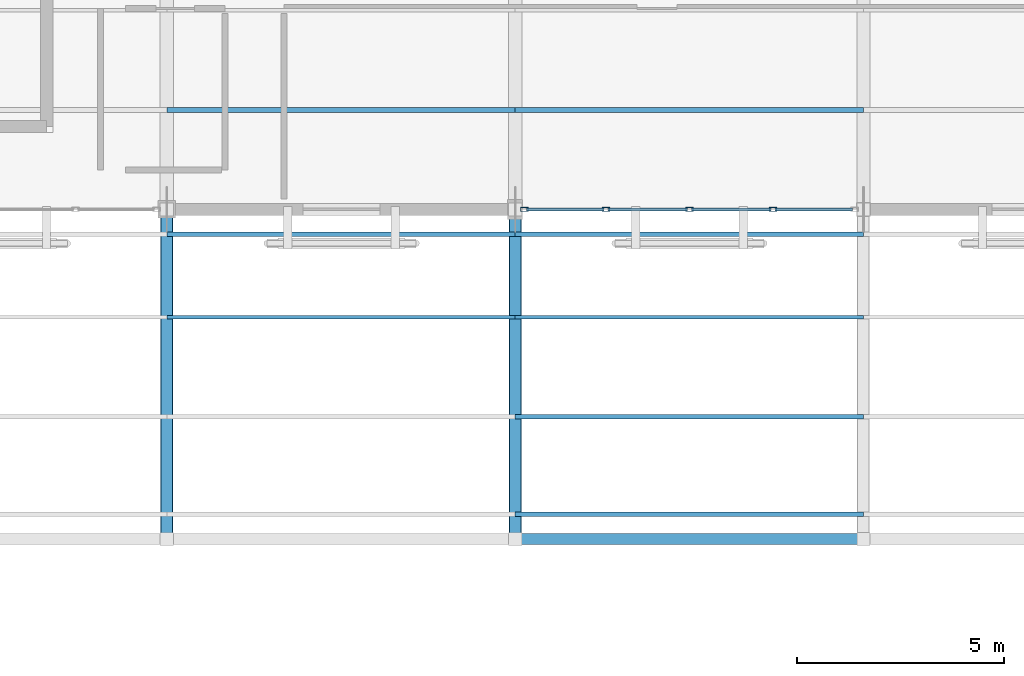
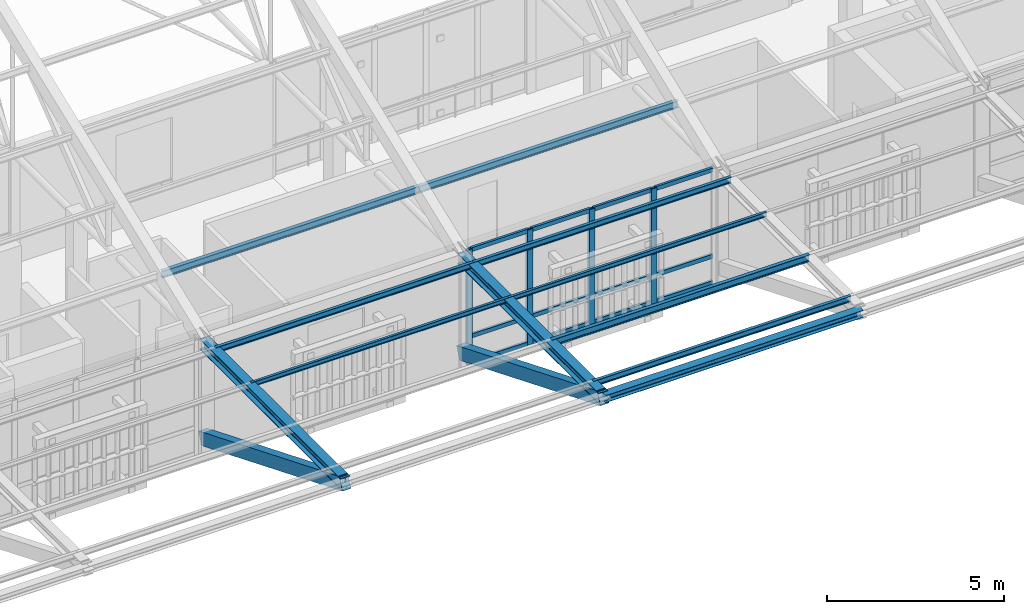
# One storey, part 82 of 217: 28 members, 1 beam, 1 element without a shape of its own.
"""IFC4 building model written with IfcOpenShell, lengths in metres."""

import ifcopenshell
import ifcopenshell.guid

model = None  # the IFC model being written
_history = None  # IfcOwnerHistory: only IFC2X3 demands one
_inside = {}  # id of a spatial element -> (the spatial element, [elements in it])
_under = {}  # id of a project, library or spatial element -> (it, [spatial elements below it])
_declared = {}  # id of a project -> (the project, [libraries it declares])
_typed = {}  # id of a type object -> (the type object, [elements of that type])
_made_of = {}  # id of a material, layer set ... -> (it, [elements and type objects made of it])


def new_model(schema):
    """Start an empty IFC model of exactly this schema.

    Asked for "IFC4X3", IfcOpenShell would pick the latest addendum, in which some entities
    have other attributes; the version numbers below select the first issue.
    IFC2X3 requires an IfcOwnerHistory on every rooted entity: one is made here for all.
    """
    global model, _history
    if schema == "IFC4X3":
        model = ifcopenshell.file(schema_version=(4, 3, 0, 0))
    else:
        model = ifcopenshell.file(schema=schema)
    _inside.clear()
    _under.clear()
    _declared.clear()
    _typed.clear()
    _made_of.clear()
    _history = None
    if model.schema == "IFC2X3":
        org = make("IfcOrganization", Name="unknown")
        user = make(
            "IfcPersonAndOrganization",
            ThePerson=make("IfcPerson", FamilyName="unknown"),
            TheOrganization=org,
        )
        app = make(
            "IfcApplication",
            ApplicationDeveloper=org,
            Version="unknown",
            ApplicationFullName="unknown",
            ApplicationIdentifier="unknown",
        )
        _history = make(
            "IfcOwnerHistory",
            OwningUser=user,
            OwningApplication=app,
            ChangeAction="ADDED",
            CreationDate=0,
        )
    return model


def make(cls, **values):
    """One entity of the class cls with the attributes given. An attribute that is None is left unset."""
    return model.create_entity(
        cls, **{name: value for name, value in values.items() if value is not None}
    )


def rooted(cls, **values):
    """An entity with a GlobalId (a new one), such as an element, a storey or a relation."""
    return make(cls, GlobalId=ifcopenshell.guid.new(), OwnerHistory=_history, **values)


def si_unit(unit_type, name, prefix=None):
    """IfcSIUnit, for example si_unit("LENGTHUNIT", "METRE", prefix="MILLI")."""
    return make("IfcSIUnit", UnitType=unit_type, Prefix=prefix, Name=name)


def assignment(units):
    """IfcUnitAssignment: the units of a project."""
    return None if units is None else make("IfcUnitAssignment", Units=units)


def point(xyz):
    """IfcCartesianPoint."""
    return None if xyz is None else make("IfcCartesianPoint", Coordinates=xyz)


def direction(xyz):
    """IfcDirection."""
    return None if xyz is None else make("IfcDirection", DirectionRatios=xyz)


def frame(location, z_axis=None, x_axis=None):
    """IfcAxis2Placement3D, a coordinate frame: its origin and axes. An axis left out is left unset."""
    return make(
        "IfcAxis2Placement3D",
        Location=point(location),
        Axis=direction(z_axis),
        RefDirection=direction(x_axis),
    )


def frame_2d(location, x_axis=None):
    """IfcAxis2Placement2D, a coordinate frame in the plane: its origin and x axis."""
    return make(
        "IfcAxis2Placement2D", Location=point(location), RefDirection=direction(x_axis)
    )


def origin():
    """The frame at (0, 0, 0) with its axes left unset."""
    return frame((0.0, 0.0, 0.0))


def origin_2d():
    """The frame at (0, 0) in the plane with its x axis left unset."""
    return frame_2d((0.0, 0.0))


def place(relative_to, where):
    """IfcLocalPlacement: puts the frame where relative to a parent placement (None: the world)."""
    return make(
        "IfcLocalPlacement", PlacementRelTo=relative_to, RelativePlacement=where
    )


def context(
    kind, dimensions, precision=None, world=None, true_north=None, identifier=None
):
    """IfcGeometricRepresentationContext, for example the 3D "Model" context."""
    return make(
        "IfcGeometricRepresentationContext",
        ContextIdentifier=identifier,
        ContextType=kind,
        CoordinateSpaceDimension=dimensions,
        Precision=precision,
        WorldCoordinateSystem=world,
        TrueNorth=true_north,
    )


def subcontext(parent, identifier, kind, view, scale=None):
    """IfcGeometricRepresentationSubContext, for example "Body" below "Model"."""
    return make(
        "IfcGeometricRepresentationSubContext",
        ContextIdentifier=identifier,
        ContextType=kind,
        ParentContext=parent,
        TargetScale=scale,
        TargetView=view,
    )


def project(units=None, contexts=None):
    """IfcProject with its units and contexts."""
    return rooted(
        "IfcProject",
        Name="project",
        RepresentationContexts=contexts,
        UnitsInContext=assignment(units),
    )


def spatial(cls, under=None, at=None, **own):
    """A site, building, storey or space (cls), placed at a placement, below another one or the project."""
    s = rooted(cls, ObjectPlacement=at, **own)
    if under is not None:
        _under.setdefault(under.id(), (under, []))[1].append(s)
    return s


def profile(cls, at=None, kind="AREA", **sizes):
    """A parametric profile (cls). Its sizes go by their IFC names, for example OverallWidth=200.0."""
    return make(cls, ProfileType=kind, Position=at, **sizes)


def rectangle(**sizes):
    """IfcRectangleProfileDef."""
    return profile("IfcRectangleProfileDef", **sizes)


def hollow_rectangle(**sizes):
    """IfcRectangleHollowProfileDef."""
    return profile("IfcRectangleHollowProfileDef", **sizes)


def i_section(**sizes):
    """IfcIShapeProfileDef."""
    return profile("IfcIShapeProfileDef", **sizes)


def extrude(swept, where, along, depth):
    """IfcExtrudedAreaSolid: the profile swept, set in the frame where, extruded along a direction by depth."""
    return make(
        "IfcExtrudedAreaSolid",
        SweptArea=swept,
        Position=where,
        ExtrudedDirection=direction(along),
        Depth=depth,
    )


def shape(context_of_items, identifier, shape_type, items):
    """IfcShapeRepresentation: the items that make up one representation, for example the "Body"."""
    return make(
        "IfcShapeRepresentation",
        ContextOfItems=context_of_items,
        RepresentationIdentifier=identifier,
        RepresentationType=shape_type,
        Items=items,
    )


def material(Name=None, Category=None):
    """IfcMaterial."""
    return make("IfcMaterial", Name=Name, Category=Category)


def layer(
    of_material, thickness, ventilated=None, Name=None, Category=None, Priority=None
):
    """IfcMaterialLayer: one layer of a wall or slab, of a material (None: an air gap)."""
    return make(
        "IfcMaterialLayer",
        Material=of_material,
        LayerThickness=thickness,
        IsVentilated=ventilated,
        Name=Name,
        Category=Category,
        Priority=Priority,
    )


def layer_set(layers, Name=None):
    """IfcMaterialLayerSet."""
    return make("IfcMaterialLayerSet", MaterialLayers=layers, LayerSetName=Name)


def material_profile(
    of_material, cross_section, Name=None, Category=None, Priority=None
):
    """IfcMaterialProfile: a cross section and its material."""
    return make(
        "IfcMaterialProfile",
        Name=Name,
        Material=of_material,
        Profile=cross_section,
        Priority=Priority,
        Category=Category,
    )


def profile_set(profiles, Name=None, composite=None):
    """IfcMaterialProfileSet."""
    return make(
        "IfcMaterialProfileSet",
        Name=Name,
        MaterialProfiles=profiles,
        CompositeProfile=composite,
    )


def made_of(thing, what):
    """Note that an element or type object is made of a material, layer set ...; save() writes the relation."""
    if what is not None:
        _made_of.setdefault(what.id(), (what, []))[1].append(thing)
    return thing


def type_object(cls, material=None, **own):
    """A type object (cls), such as IfcWallType, which elements share."""
    return made_of(rooted(cls, **own), material)


def element(
    cls,
    number,
    at=None,
    inside=None,
    cuts=None,
    type_object=None,
    material=None,
    context=None,
    identifier="Body",
    shape_type=None,
    held_by="IfcProductDefinitionShape",
    body=None,
    shapes=None,
    **own,
):
    """One element of the class cls, such as IfcWall. Its Tag is "e" and its number.

    at: its placement. inside: the storey or other place that contains it. cuts: it is an
    opening in that element (IfcRelVoidsElement). A single representation is given by context,
    identifier, shape_type and body (its items); several are given by shapes. held_by: the class
    of the entity that holds the representations. save() writes the other relations.
    """
    e = rooted(cls, Tag="e%d" % number, ObjectPlacement=at, **own)
    if body is not None:
        shapes = [shape(context, identifier, shape_type, body)]
    if shapes is not None:
        e.Representation = make(held_by, Representations=shapes)
    if inside is not None:
        _inside.setdefault(inside.id(), (inside, []))[1].append(e)
    if cuts is not None:
        rooted(
            "IfcRelVoidsElement", RelatingBuildingElement=cuts, RelatedOpeningElement=e
        )
    if type_object is not None:
        _typed.setdefault(type_object.id(), (type_object, []))[1].append(e)
    return made_of(e, material)


def aggregate(whole, parts):
    """IfcRelAggregates: a whole, such as a stair, and the parts it consists of."""
    return rooted("IfcRelAggregates", RelatingObject=whole, RelatedObjects=parts)


def save(model, path):
    """Write the relations noted so far, then the file.

    IfcRelAggregates (storeys below a building ...), IfcRelContainedInSpatialStructure (elements
    in a storey), IfcRelDefinesByType, IfcRelAssociatesMaterial and IfcRelDeclares: one each for
    every whole, place, type object, material and project.
    """
    for whole, parts in _under.values():
        aggregate(whole, parts)
    for where, things in _inside.values():
        rooted(
            "IfcRelContainedInSpatialStructure",
            RelatedElements=things,
            RelatingStructure=where,
        )
    for kind, things in _typed.values():
        rooted("IfcRelDefinesByType", RelatedObjects=things, RelatingType=kind)
    for what, things in _made_of.values():
        rooted("IfcRelAssociatesMaterial", RelatedObjects=things, RelatingMaterial=what)
    for by, libraries in _declared.values():
        rooted("IfcRelDeclares", RelatingContext=by, RelatedDefinitions=libraries)
    model.write(path)


model = new_model("IFC4")

# Units and contexts
model_context = context("Model", 3, precision=1e-05, world=origin(), true_north=direction((0.0, 1.0)))
body_context = subcontext(model_context, "Body", "Model", "MODEL_VIEW")
ifc_project = project(units=[si_unit("LENGTHUNIT", "METRE"), si_unit("AREAUNIT", "SQUARE_METRE"), si_unit("VOLUMEUNIT", "CUBIC_METRE"), si_unit("PLANEANGLEUNIT", "RADIAN"), si_unit("MASSUNIT", "GRAM", prefix="KILO")], contexts=[model_context])

# Site, building, storey
site_placement = place(None, origin())
site = spatial("IfcSite", under=ifc_project, at=site_placement, CompositionType="ELEMENT")
building_placement = place(site_placement, origin())
building = spatial("IfcBuilding", under=site, at=building_placement, Name="Mazaris Harbour Polytechnic", CompositionType="ELEMENT")
storey_placement = place(building_placement, frame((0.0, 0.0, 9.60009765625)))
storey = spatial("IfcBuildingStorey", under=building, at=storey_placement, Name="L02", CompositionType="ELEMENT", Elevation=9.60009765625)

# Curtain wall, members
ifc_material_1 = material(Name="Anodised Bronze Aluminium and Low-E Glass", Category="aluminium")
ifc_layer = layer(ifc_material_1, 0.14990234375, Name="Anodised Bronze Aluminium and Low-E Glass")
ifc_layer_set = layer_set([ifc_layer], Name="Anodised Bronze Aluminium and Low-E Glass")
curtain_wall_type = type_object("IfcCurtainWallType", Name="Workshop Clerestory Curtain Wall", PredefinedType="NOTDEFINED", material=ifc_layer_set)
curtain_wall_placement = place(storey_placement, origin())
curtain_wall = element("IfcCurtainWall", 1, at=curtain_wall_placement, inside=storey, type_object=curtain_wall_type, Name="V1 L02 Curtain Wall 27", PredefinedType="NOTDEFINED")
ifc_material_2 = material(Name="Anodised Bronze Steel S355", Category="steel")
ifc_material_profile_1 = material_profile(ifc_material_2, hollow_rectangle(XDim=0.10009765625, YDim=0.179931640625, WallThickness=0.008056640625, at=origin_2d()), Name="RHS 100x180x8.0")
ifc_profile_set_1 = profile_set([ifc_material_profile_1], Name="Anodised Bronze Steel S355")
member_type_1 = type_object("IfcMemberType", Name="Curtain Mullion RHS100x180", PredefinedType="MULLION", material=ifc_profile_set_1)
member_1_placement = place(storey_placement, frame((93.821533203125, 75.60009765625, 0.0), z_axis=(0.0, 0.0, 1.0), x_axis=(0.0, -1.0, 0.0)))
member_1 = element("IfcMember", 2, at=member_1_placement, type_object=member_type_1, Name="CW-04 mullion 2", PredefinedType="MULLION", context=body_context, shape_type="SweptSolid", body=[
    extrude(hollow_rectangle(XDim=0.10009765625, YDim=0.179931640625, WallThickness=0.008056640625, at=origin_2d()), origin(), (0.0, 0.0, 1.0), 3.9599609375),
])
member_2_placement = place(storey_placement, frame((91.804931640625, 75.60009765625, 0.0), z_axis=(0.0, 0.0, 1.0), x_axis=(0.0, -1.0, 0.0)))
member_2 = element("IfcMember", 3, at=member_2_placement, type_object=member_type_1, Name="CW-04 mullion 3", PredefinedType="MULLION", context=body_context, shape_type="SweptSolid", body=[
    extrude(hollow_rectangle(XDim=0.10009765625, YDim=0.179931640625, WallThickness=0.008056640625, at=origin_2d()), origin(), (0.0, 0.0, 1.0), 3.9599609375),
])
member_3_placement = place(storey_placement, frame((89.78857421875, 75.60009765625, 0.0), z_axis=(0.0, 0.0, 1.0), x_axis=(0.0, -1.0, 0.0)))
member_3 = element("IfcMember", 4, at=member_3_placement, type_object=member_type_1, Name="CW-04 mullion 4", PredefinedType="MULLION", context=body_context, shape_type="SweptSolid", body=[
    extrude(hollow_rectangle(XDim=0.10009765625, YDim=0.179931640625, WallThickness=0.008056640625, at=origin_2d()), origin(), (0.0, 0.0, 1.0), 3.9599609375),
])
member_4_placement = place(storey_placement, frame((87.822021484375, 75.60009765625, 0.0), z_axis=(0.0, 0.0, 1.0), x_axis=(0.0, -1.0, 0.0)))
member_4 = element("IfcMember", 5, at=member_4_placement, type_object=member_type_1, Name="CW-04 mullion 5", PredefinedType="MULLION", context=body_context, shape_type="SweptSolid", body=[
    extrude(hollow_rectangle(XDim=0.10009765625, YDim=0.179931640625, WallThickness=0.008056640625, at=origin_2d()), origin(), (0.0, 0.0, 1.0), 3.9599609375),
])
ifc_material_3 = material(Name="Anodised Bronze Steel S355", Category="steel")
ifc_material_profile_2 = material_profile(ifc_material_3, hollow_rectangle(XDim=0.080078125, YDim=0.139892578125, WallThickness=0.00634765625, at=origin_2d()), Name="RHS 80x140x6.3")
ifc_profile_set_2 = profile_set([ifc_material_profile_2], Name="Anodised Bronze Steel S355")
member_type_2 = type_object("IfcMemberType", Name="Curtain Transom RHS80x140", PredefinedType="USERDEFINED", material=ifc_profile_set_2)
member_5_placement = place(storey_placement, frame((95.738037109375, 75.60009765625, 0.039794921875), z_axis=(-1.0, 0.0, 0.0), x_axis=(0.0, -1.0, 0.0)))
member_5 = element("IfcMember", 6, at=member_5_placement, type_object=member_type_2, Name="CW-04 transom 1.1", ObjectType="TRANSOM", PredefinedType="USERDEFINED", context=body_context, shape_type="SweptSolid", body=[
    extrude(hollow_rectangle(XDim=0.080078125, YDim=0.139892578125, WallThickness=0.00634765625, at=origin_2d()), origin(), (0.0, 0.0, 1.0), 1.866455078125),
])
member_6_placement = place(storey_placement, frame((95.738037109375, 75.60009765625, 0.949951171875), z_axis=(-1.0, 0.0, 0.0), x_axis=(0.0, -1.0, 0.0)))
member_6 = element("IfcMember", 7, at=member_6_placement, type_object=member_type_2, Name="CW-04 transom 1.2", ObjectType="TRANSOM", PredefinedType="USERDEFINED", context=body_context, shape_type="SweptSolid", body=[
    extrude(hollow_rectangle(XDim=0.080078125, YDim=0.139892578125, WallThickness=0.00634765625, at=origin_2d()), origin(), (0.0, 0.0, 1.0), 1.866455078125),
])
member_7_placement = place(storey_placement, frame((95.738037109375, 75.60009765625, 3.919921875), z_axis=(-1.0, 0.0, 0.0), x_axis=(0.0, -1.0, 0.0)))
member_7 = element("IfcMember", 8, at=member_7_placement, type_object=member_type_2, Name="CW-04 transom 1.3", ObjectType="TRANSOM", PredefinedType="USERDEFINED", context=body_context, shape_type="SweptSolid", body=[
    extrude(hollow_rectangle(XDim=0.080078125, YDim=0.139892578125, WallThickness=0.00634765625, at=origin_2d()), origin(), (0.0, 0.0, 1.0), 1.866455078125),
])
member_8_placement = place(storey_placement, frame((93.771484375, 75.60009765625, 0.039794921875), z_axis=(-1.0, 0.0, 0.0), x_axis=(0.0, -1.0, 0.0)))
member_8 = element("IfcMember", 9, at=member_8_placement, type_object=member_type_2, Name="CW-04 transom 2.1", ObjectType="TRANSOM", PredefinedType="USERDEFINED", context=body_context, shape_type="SweptSolid", body=[
    extrude(hollow_rectangle(XDim=0.080078125, YDim=0.139892578125, WallThickness=0.00634765625, at=origin_2d()), origin(), (0.0, 0.0, 1.0), 1.91650390625),
])
member_9_placement = place(storey_placement, frame((93.771484375, 75.60009765625, 0.949951171875), z_axis=(-1.0, 0.0, 0.0), x_axis=(0.0, -1.0, 0.0)))
member_9 = element("IfcMember", 10, at=member_9_placement, type_object=member_type_2, Name="CW-04 transom 2.2", ObjectType="TRANSOM", PredefinedType="USERDEFINED", context=body_context, shape_type="SweptSolid", body=[
    extrude(hollow_rectangle(XDim=0.080078125, YDim=0.139892578125, WallThickness=0.00634765625, at=origin_2d()), origin(), (0.0, 0.0, 1.0), 1.91650390625),
])
member_10_placement = place(storey_placement, frame((93.771484375, 75.60009765625, 3.919921875), z_axis=(-1.0, 0.0, 0.0), x_axis=(0.0, -1.0, 0.0)))
member_10 = element("IfcMember", 11, at=member_10_placement, type_object=member_type_2, Name="CW-04 transom 2.3", ObjectType="TRANSOM", PredefinedType="USERDEFINED", context=body_context, shape_type="SweptSolid", body=[
    extrude(hollow_rectangle(XDim=0.080078125, YDim=0.139892578125, WallThickness=0.00634765625, at=origin_2d()), origin(), (0.0, 0.0, 1.0), 1.91650390625),
])
member_11_placement = place(storey_placement, frame((91.7548828125, 75.60009765625, 0.039794921875), z_axis=(-1.0, 0.0, 0.0), x_axis=(0.0, -1.0, 0.0)))
member_11 = element("IfcMember", 12, at=member_11_placement, type_object=member_type_2, Name="CW-04 transom 3.1", ObjectType="TRANSOM", PredefinedType="USERDEFINED", context=body_context, shape_type="SweptSolid", body=[
    extrude(hollow_rectangle(XDim=0.080078125, YDim=0.139892578125, WallThickness=0.00634765625, at=origin_2d()), origin(), (0.0, 0.0, 1.0), 1.91650390625),
])
member_12_placement = place(storey_placement, frame((91.7548828125, 75.60009765625, 0.949951171875), z_axis=(-1.0, 0.0, 0.0), x_axis=(0.0, -1.0, 0.0)))
member_12 = element("IfcMember", 13, at=member_12_placement, type_object=member_type_2, Name="CW-04 transom 3.2", ObjectType="TRANSOM", PredefinedType="USERDEFINED", context=body_context, shape_type="SweptSolid", body=[
    extrude(hollow_rectangle(XDim=0.080078125, YDim=0.139892578125, WallThickness=0.00634765625, at=origin_2d()), origin(), (0.0, 0.0, 1.0), 1.91650390625),
])
member_13_placement = place(storey_placement, frame((91.7548828125, 75.60009765625, 3.919921875), z_axis=(-1.0, 0.0, 0.0), x_axis=(0.0, -1.0, 0.0)))
member_13 = element("IfcMember", 14, at=member_13_placement, type_object=member_type_2, Name="CW-04 transom 3.3", ObjectType="TRANSOM", PredefinedType="USERDEFINED", context=body_context, shape_type="SweptSolid", body=[
    extrude(hollow_rectangle(XDim=0.080078125, YDim=0.139892578125, WallThickness=0.00634765625, at=origin_2d()), origin(), (0.0, 0.0, 1.0), 1.91650390625),
])
member_14_placement = place(storey_placement, frame((89.738525390625, 75.60009765625, 0.039794921875), z_axis=(-1.0, 0.0, 0.0), x_axis=(0.0, -1.0, 0.0)))
member_14 = element("IfcMember", 15, at=member_14_placement, type_object=member_type_2, Name="CW-04 transom 4.1", ObjectType="TRANSOM", PredefinedType="USERDEFINED", context=body_context, shape_type="SweptSolid", body=[
    extrude(hollow_rectangle(XDim=0.080078125, YDim=0.139892578125, WallThickness=0.00634765625, at=origin_2d()), origin(), (0.0, 0.0, 1.0), 1.866455078125),
])
member_15_placement = place(storey_placement, frame((89.738525390625, 75.60009765625, 0.949951171875), z_axis=(-1.0, 0.0, 0.0), x_axis=(0.0, -1.0, 0.0)))
member_15 = element("IfcMember", 16, at=member_15_placement, type_object=member_type_2, Name="CW-04 transom 4.2", ObjectType="TRANSOM", PredefinedType="USERDEFINED", context=body_context, shape_type="SweptSolid", body=[
    extrude(hollow_rectangle(XDim=0.080078125, YDim=0.139892578125, WallThickness=0.00634765625, at=origin_2d()), origin(), (0.0, 0.0, 1.0), 1.866455078125),
])
member_16_placement = place(storey_placement, frame((89.738525390625, 75.60009765625, 3.919921875), z_axis=(-1.0, 0.0, 0.0), x_axis=(0.0, -1.0, 0.0)))
member_16 = element("IfcMember", 17, at=member_16_placement, type_object=member_type_2, Name="CW-04 transom 4.3", ObjectType="TRANSOM", PredefinedType="USERDEFINED", context=body_context, shape_type="SweptSolid", body=[
    extrude(hollow_rectangle(XDim=0.080078125, YDim=0.139892578125, WallThickness=0.00634765625, at=origin_2d()), origin(), (0.0, 0.0, 1.0), 1.866455078125),
])
aggregate(curtain_wall, [member_1, member_2, member_3, member_4, member_5, member_6, member_7, member_8, member_9, member_10, member_11, member_12, member_13, member_14, member_15, member_16])

# Members
ifc_material_4 = material(Name="Glulam GL32h", Category="wood")
ifc_material_profile_3 = material_profile(ifc_material_4, rectangle(XDim=0.280029296875, YDim=0.43994140625, at=origin_2d()), Name="RECT280x440")
ifc_profile_set_3 = profile_set([ifc_material_profile_3], Name="Glulam GL32h")
member_type_3 = type_object("IfcMemberType", Name="Glulam Raking Strut 280x440", PredefinedType="BRACE", material=ifc_profile_set_3)
for number, where, z_axis, x_axis, name in (
    (18, (79.199951171875, 75.60009765625, 0.5), (0.0, -0.925642918598, 0.378398186107), (1.0, 0.0, 0.0), "Truss 4 South Eave Raking Strut"),
    (19, (87.60009765625, 75.60009765625, 0.5), (0.0, -0.925642918598, 0.378398186107), (1.0, 0.0, 0.0), "Truss 5 South Eave Raking Strut"),
):
    element("IfcMember", number, at=place(storey_placement, frame(where, z_axis=z_axis, x_axis=x_axis)), inside=storey, type_object=member_type_3, Name=name, PredefinedType="BRACE", context=body_context, shape_type="SweptSolid", body=[
        extrude(rectangle(XDim=0.280029296875, YDim=0.43994140625, at=origin_2d()), origin(), (0.0, 0.0, 1.0), 8.5888671875),
    ])

# Beam
ifc_material_5 = material(Name="Steel S355", Category="steel")
ifc_material_profile_4 = material_profile(ifc_material_5, i_section(OverallWidth=0.260009765625, OverallDepth=0.25, WebThickness=0.007568359375, FlangeThickness=0.012451171875, FilletRadius=0.02392578125, at=origin_2d()), Name="HEA 260")
ifc_profile_set_4 = profile_set([ifc_material_profile_4], Name="Steel S355")
beam_type = type_object("IfcBeamType", Name="Steel Beam HEA260 Exterior", PredefinedType="SPANDREL", material=ifc_profile_set_4)
beam_placement = place(storey_placement, frame((87.60009765625, 67.64990234375, 3.75), z_axis=(1.0, 0.0, 0.0), x_axis=(0.0, 1.0, 0.0)))
element("IfcBeam", 20, at=beam_placement, inside=storey, type_object=beam_type, Name="V1 Eave Fascia Beam 5", PredefinedType="SPANDREL", context=body_context, shape_type="SweptSolid", body=[
    extrude(i_section(OverallWidth=0.260009765625, OverallDepth=0.25, WebThickness=0.007568359375, FlangeThickness=0.012451171875, FilletRadius=0.02392578125, at=origin_2d()), origin(), (0.0, 0.0, 1.0), 8.39990234375),
])

# Members
ifc_material_6 = material(Name="Steel S355", Category="steel")
ifc_material_profile_5 = material_profile(ifc_material_6, i_section(OverallWidth=0.300048828125, OverallDepth=0.360107421875, WebThickness=0.012451171875, FlangeThickness=0.0224609375, FilletRadius=0.027099609375, at=origin_2d()), Name="HEB 360")
ifc_profile_set_5 = profile_set([ifc_material_profile_5], Name="Steel S355")
member_type_4 = type_object("IfcMemberType", Name="Steel Eave Cantilever HEB360", PredefinedType="CHORD", material=ifc_profile_set_5)
for number, where, z_axis, x_axis, name in (
    (21, (79.199951171875, 75.60009765625, 3.75), (0.0, -1.0, 0.0), (1.0, 0.0, 0.0), "Truss 4 South Overhanging Eave Chord"),
    (22, (87.60009765625, 75.60009765625, 3.75), (0.0, -1.0, 0.0), (1.0, 0.0, 0.0), "Truss 5 South Overhanging Eave Chord"),
):
    element("IfcMember", number, at=place(storey_placement, frame(where, z_axis=z_axis, x_axis=x_axis)), inside=storey, type_object=member_type_4, Name=name, PredefinedType="CHORD", context=body_context, shape_type="SweptSolid", body=[
        extrude(i_section(OverallWidth=0.300048828125, OverallDepth=0.360107421875, WebThickness=0.012451171875, FlangeThickness=0.0224609375, FilletRadius=0.027099609375, at=origin_2d()), origin(), (0.0, 0.0, 1.0), 7.9501953125),
    ])
ifc_material_7 = material(Name="Steel S355", Category="steel")
ifc_material_profile_6 = material_profile(ifc_material_7, i_section(OverallWidth=0.08203125, OverallDepth=0.159912109375, WebThickness=0.0048828125, FlangeThickness=0.00732421875, FilletRadius=0.009033203125, at=origin_2d()), Name="IPE 160")
ifc_profile_set_6 = profile_set([ifc_material_profile_6], Name="Steel S355")
member_type_5 = type_object("IfcMemberType", Name="Steel Purlin IPE160 Exterior", PredefinedType="PURLIN", material=ifc_profile_set_6)
member_17_placement = place(storey_placement, frame((79.199951171875, 73.0, 3.875), z_axis=(1.0, 0.0, 0.0), x_axis=(0.0, 1.0, 0.0)))
element("IfcMember", 23, at=member_17_placement, inside=storey, type_object=member_type_5, Name="V1 Roof Purlin S-66", PredefinedType="PURLIN", context=body_context, shape_type="SweptSolid", body=[
    extrude(i_section(OverallWidth=0.08203125, OverallDepth=0.159912109375, WebThickness=0.0048828125, FlangeThickness=0.00732421875, FilletRadius=0.009033203125, at=origin_2d()), origin(), (0.0, 0.0, 1.0), 8.400146484375),
])
member_18_placement = place(storey_placement, frame((87.60009765625, 73.0, 3.875), z_axis=(1.0, 0.0, 0.0), x_axis=(0.0, 1.0, 0.0)))
element("IfcMember", 24, at=member_18_placement, inside=storey, type_object=member_type_5, Name="V1 Roof Purlin S-87", PredefinedType="PURLIN", context=body_context, shape_type="SweptSolid", body=[
    extrude(i_section(OverallWidth=0.08203125, OverallDepth=0.159912109375, WebThickness=0.0048828125, FlangeThickness=0.00732421875, FilletRadius=0.009033203125, at=origin_2d()), origin(), (0.0, 0.0, 1.0), 8.39990234375),
])
ifc_material_8 = material(Name="Steel S355", Category="steel")
ifc_material_profile_7 = material_profile(ifc_material_8, i_section(OverallWidth=0.10009765625, OverallDepth=0.199951171875, WebThickness=0.005615234375, FlangeThickness=0.008544921875, FilletRadius=0.011962890625, at=origin_2d()), Name="IPE 200")
ifc_profile_set_7 = profile_set([ifc_material_profile_7], Name="Steel S355")
member_type_6 = type_object("IfcMemberType", Name="Steel Purlin IPE200 Exterior", PredefinedType="PURLIN", material=ifc_profile_set_7)
member_19_placement = place(storey_placement, frame((79.199951171875, 75.0, 3.85498046875), z_axis=(1.0, 0.0, 0.0), x_axis=(0.0, 1.0, 0.0)))
element("IfcMember", 25, at=member_19_placement, inside=storey, type_object=member_type_6, Name="V1 Roof Purlin S-67", PredefinedType="PURLIN", context=body_context, shape_type="SweptSolid", body=[
    extrude(i_section(OverallWidth=0.10009765625, OverallDepth=0.199951171875, WebThickness=0.005615234375, FlangeThickness=0.008544921875, FilletRadius=0.011962890625, at=origin_2d()), origin(), (0.0, 0.0, 1.0), 8.400146484375),
])
for number, where, z_axis, x_axis, name in (
    (26, (87.60009765625, 68.25, 3.85498046875), (1.0, 0.0, 0.0), (0.0, 1.0, 0.0), "V1 Roof Purlin S-85"),
    (27, (87.60009765625, 75.0, 3.85498046875), (1.0, 0.0, 0.0), (0.0, 1.0, 0.0), "V1 Roof Purlin S-88"),
):
    element("IfcMember", number, at=place(storey_placement, frame(where, z_axis=z_axis, x_axis=x_axis)), inside=storey, type_object=member_type_6, Name=name, PredefinedType="PURLIN", context=body_context, shape_type="SweptSolid", body=[
        extrude(i_section(OverallWidth=0.10009765625, OverallDepth=0.199951171875, WebThickness=0.005615234375, FlangeThickness=0.008544921875, FilletRadius=0.011962890625, at=origin_2d()), origin(), (0.0, 0.0, 1.0), 8.39990234375),
    ])
ifc_material_9 = material(Name="Steel S355", Category="steel")
ifc_material_profile_8 = material_profile(ifc_material_9, i_section(OverallWidth=0.1201171875, OverallDepth=0.239990234375, WebThickness=0.006103515625, FlangeThickness=0.009765625, FilletRadius=0.014892578125, at=origin_2d()), Name="IPE 240")
ifc_profile_set_8 = profile_set([ifc_material_profile_8], Name="Steel S355")
member_type_7 = type_object("IfcMemberType", Name="Steel Purlin IPE240", PredefinedType="PURLIN", material=ifc_profile_set_8)
member_20_placement = place(storey_placement, frame((79.199951171875, 78.0, 4.651123046875), z_axis=(1.0, 0.0, 0.0), x_axis=(0.0, 1.0, 0.0)))
element("IfcMember", 28, at=member_20_placement, inside=storey, type_object=member_type_7, Name="V1 Roof Purlin S-68", PredefinedType="PURLIN", context=body_context, shape_type="SweptSolid", body=[
    extrude(i_section(OverallWidth=0.1201171875, OverallDepth=0.239990234375, WebThickness=0.006103515625, FlangeThickness=0.009765625, FilletRadius=0.014892578125, at=origin_2d()), origin(), (0.0, 0.0, 1.0), 8.400146484375),
])
member_21_placement = place(storey_placement, frame((87.60009765625, 78.0, 4.651123046875), z_axis=(1.0, 0.0, 0.0), x_axis=(0.0, 1.0, 0.0)))
element("IfcMember", 29, at=member_21_placement, inside=storey, type_object=member_type_7, Name="V1 Roof Purlin S-89", PredefinedType="PURLIN", context=body_context, shape_type="SweptSolid", body=[
    extrude(i_section(OverallWidth=0.1201171875, OverallDepth=0.239990234375, WebThickness=0.006103515625, FlangeThickness=0.009765625, FilletRadius=0.014892578125, at=origin_2d()), origin(), (0.0, 0.0, 1.0), 8.39990234375),
])
ifc_material_10 = material(Name="Steel S355", Category="steel")
ifc_material_profile_9 = material_profile(ifc_material_10, i_section(OverallWidth=0.1201171875, OverallDepth=0.239990234375, WebThickness=0.006103515625, FlangeThickness=0.009765625, FilletRadius=0.014892578125, at=origin_2d()), Name="IPE 240")
ifc_profile_set_9 = profile_set([ifc_material_profile_9], Name="Steel S355")
member_type_8 = type_object("IfcMemberType", Name="Steel Purlin IPE240 Exterior", PredefinedType="PURLIN", material=ifc_profile_set_9)
member_22_placement = place(storey_placement, frame((87.60009765625, 70.60009765625, 3.8349609375), z_axis=(1.0, 0.0, 0.0), x_axis=(0.0, 1.0, 0.0)))
element("IfcMember", 30, at=member_22_placement, inside=storey, type_object=member_type_8, Name="V1 Roof Purlin S-86", PredefinedType="PURLIN", context=body_context, shape_type="SweptSolid", body=[
    extrude(i_section(OverallWidth=0.1201171875, OverallDepth=0.239990234375, WebThickness=0.006103515625, FlangeThickness=0.009765625, FilletRadius=0.014892578125, at=origin_2d()), origin(), (0.0, 0.0, 1.0), 8.39990234375),
])

save(model, "model.ifc")
